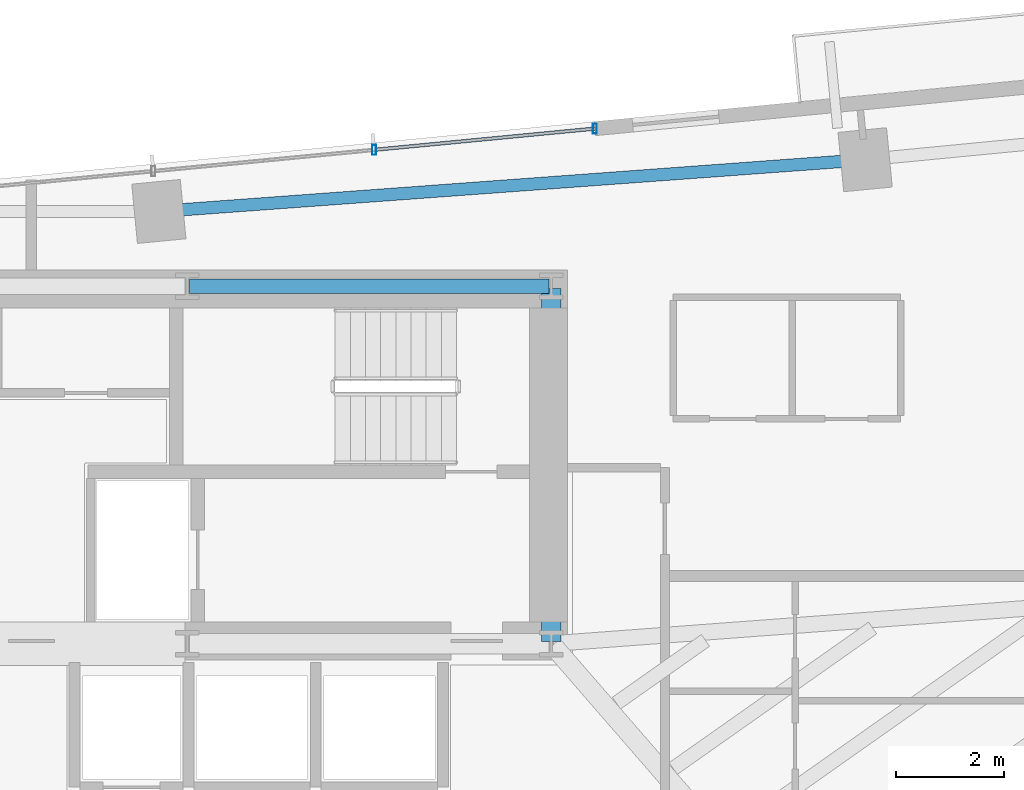
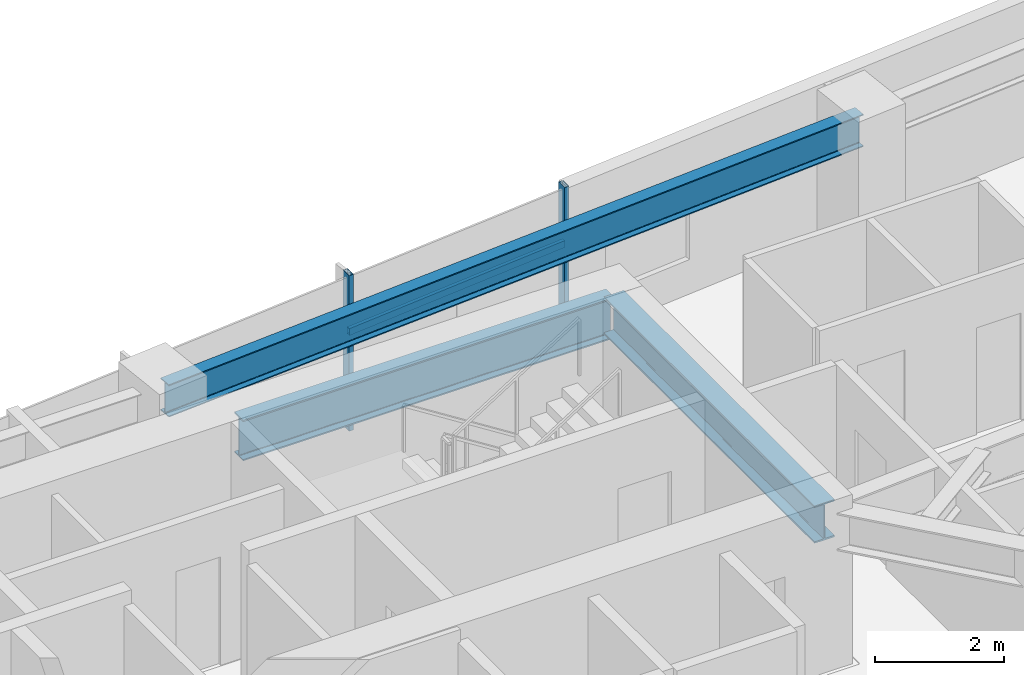
# One storey, part 17 of 27: 3 beams, 3 members, 1 element without a shape of its own.
"""IFC4 building model written with IfcOpenShell, lengths in metres."""

from ifc_helpers import new_model, si_unit, direction, frame, origin, origin_2d, place, context, subcontext, project, spatial, hollow_rectangle, i_section, extrude, source, transform, mapped, material, material_profile, profile_set, type_object, type_shapes, element, aggregate, save


model = new_model("IFC4")

# Units and contexts
model_context = context("Model", 3, precision=1e-05, world=origin(), true_north=direction((0.0, 1.0)))
body_context = subcontext(model_context, "Body", "Model", "MODEL_VIEW")
ifc_project = project(units=[si_unit("LENGTHUNIT", "METRE"), si_unit("AREAUNIT", "SQUARE_METRE"), si_unit("VOLUMEUNIT", "CUBIC_METRE"), si_unit("PLANEANGLEUNIT", "RADIAN"), si_unit("MASSUNIT", "GRAM", prefix="KILO")], contexts=[model_context])

# Site, building, storey
site_placement = place(None, origin())
site = spatial("IfcSite", under=ifc_project, at=site_placement, CompositionType="ELEMENT")
building_placement = place(site_placement, origin())
building = spatial("IfcBuilding", under=site, at=building_placement, Name="Astriad Promenade Condominiums", CompositionType="ELEMENT")
storey_placement = place(building_placement, frame((0.0, 0.0, 113.0)))
storey = spatial("IfcBuildingStorey", under=building, at=storey_placement, Name="L32", CompositionType="ELEMENT", Elevation=113.0)

# Beams
ifc_material_1 = material(Name="Steel ASTM A992 Grade 50", Category="steel")
ifc_material_profile_1 = material_profile(ifc_material_1, i_section(OverallWidth=0.267822265625, OverallDepth=0.76953125, WebThickness=0.015625, FlangeThickness=0.025390625, FilletRadius=0.021484375, at=origin_2d()), Name="W30X132")
ifc_profile_set_1 = profile_set([ifc_material_profile_1], Name="Steel ASTM A992 Grade 50")
beam_type_1 = type_object("IfcBeamType", Name="STEEL FLOOR GIRDER W30X132", PredefinedType="BEAM", material=ifc_profile_set_1)
shared_shape_1 = source(origin(), body_context, "Body", "SweptSolid", [
    extrude(i_section(OverallWidth=0.267822265625, OverallDepth=0.76953125, WebThickness=0.015625, FlangeThickness=0.025390625, FilletRadius=0.021484375, at=origin_2d()), origin(), (0.0, 0.0, 1.0), 6.64013671875),
])
type_shapes(beam_type_1, [shared_shape_1])
beam_1_placement = place(storey_placement, frame((38.919921875, 24.0, 2.55517578125), z_axis=(1.0, 0.0, 0.0), x_axis=(0.0, 1.0, 0.0)))
element("IfcBeam", 1, at=beam_1_placement, inside=storey, type_object=beam_type_1, Name="Core Ring Beam CG-N3-L32", PredefinedType="BEAM", context=body_context, shape_type="MappedRepresentation", body=[
    mapped(shared_shape_1, transform((0.0, 0.0, 0.0), scale=1.0)),
])
ifc_material_profile_2 = material_profile(ifc_material_1, i_section(OverallWidth=0.35791015625, OverallDepth=0.706298828125, WebThickness=0.018310546875, FlangeThickness=0.0302734375, FilletRadius=0.020263671875, at=origin_2d()), Name="W27X178")
ifc_profile_set_2 = profile_set([ifc_material_profile_2], Name="Steel ASTM A992 Grade 50")
beam_type_2 = type_object("IfcBeamType", Name="STEEL FLOOR GIRDER W27X178", PredefinedType="BEAM", material=ifc_profile_set_2)
shared_shape_2 = source(origin(), body_context, "Body", "SweptSolid", [
    extrude(i_section(OverallWidth=0.35791015625, OverallDepth=0.706298828125, WebThickness=0.018310546875, FlangeThickness=0.0302734375, FilletRadius=0.020263671875, at=origin_2d()), origin(), (0.0, 0.0, 1.0), 6.52001953125),
])
type_shapes(beam_type_2, [shared_shape_2])
beam_2_placement = place(storey_placement, frame((45.60009765625, 17.43994140625, 2.5869140625), z_axis=(0.0, 1.0, 0.0), x_axis=(-1.0, 0.0, 0.0)))
element("IfcBeam", 2, at=beam_2_placement, inside=storey, type_object=beam_type_2, Name="Core Ring Beam CG-E1-L32", PredefinedType="BEAM", context=body_context, shape_type="MappedRepresentation", body=[
    mapped(shared_shape_2, transform((0.0, 0.0, 0.0), scale=1.0)),
])
ifc_material_profile_3 = material_profile(ifc_material_1, i_section(OverallWidth=0.22900390625, OverallDepth=0.612060546875, WebThickness=0.011962890625, FlangeThickness=0.01953125, FilletRadius=0.017822265625, at=origin_2d()), Name="W24X84")
ifc_profile_set_3 = profile_set([ifc_material_profile_3], Name="Steel ASTM A992 Grade 50")
beam_type_3 = type_object("IfcBeamType", Name="STEEL SPANDREL BEAM W24X84", PredefinedType="SPANDREL", material=ifc_profile_set_3)
shared_shape_3 = source(origin(), body_context, "Body", "SweptSolid", [
    extrude(i_section(OverallWidth=0.22900390625, OverallDepth=0.612060546875, WebThickness=0.011962890625, FlangeThickness=0.01953125, FilletRadius=0.017822265625, at=origin_2d()), origin(), (0.0, 0.0, 1.0), 12.99462890625),
])
type_shapes(beam_type_3, [shared_shape_3])
beam_3_placement = place(storey_placement, frame((51.3544921875, 26.33203125, 2.6337890625), z_axis=(-0.997328518297, -0.073046742505, 0.0), x_axis=(0.073046742505, -0.997328518297, 0.0)))
element("IfcBeam", 3, at=beam_3_placement, inside=storey, type_object=beam_type_3, Name="Perimeter Spandrel Beam SP-N3-L32", PredefinedType="SPANDREL", context=body_context, shape_type="MappedRepresentation", body=[
    mapped(shared_shape_3, transform((0.0, 0.0, 0.0), scale=1.0)),
])

# Curtain wall, members
ifc_material_2 = material(Name="Anodised aluminium Black Dark Glass Unitised", Category="aluminium")
curtain_wall_type = type_object("IfcCurtainWallType", Name="CW-B2-DARK", PredefinedType="USERDEFINED", material=ifc_material_2)
curtain_wall_placement = place(storey_placement, origin())
curtain_wall = element("IfcCurtainWall", 4, at=curtain_wall_placement, inside=storey, type_object=curtain_wall_type, Name="CW-L32-N", ObjectType="UNITISED_CURTAIN_WALL", PredefinedType="USERDEFINED")
ifc_material_3 = material(Name="Anodised aluminium 6063-T6 Black", Category="aluminium")
ifc_material_profile_4 = material_profile(ifc_material_3, hollow_rectangle(XDim=0.074951171875, YDim=0.18505859375, WallThickness=0.00439453125, at=origin_2d()), Name="ALU-MUL-75X185")
ifc_profile_set_4 = profile_set([ifc_material_profile_4], Name="Anodised aluminium 6063-T6 Black")
member_type_1 = type_object("IfcMemberType", Name="MUL-ALU-MUL-75X185", PredefinedType="MULLION", material=ifc_profile_set_4)
shared_shape_4 = source(origin(), body_context, "Body", "SweptSolid", [
    extrude(hollow_rectangle(XDim=0.074951171875, YDim=0.18505859375, WallThickness=0.00439453125, at=origin_2d()), origin(), (0.0, 0.0, 1.0), 2.93994140625),
])
type_shapes(member_type_1, [shared_shape_4])
member_1_placement = place(storey_placement, frame((42.330078125, 26.51708984375, 0.0), z_axis=(0.0, 0.0, 1.0), x_axis=(1.0, 0.0, 0.0)))
member_1 = element("IfcMember", 5, at=member_1_placement, type_object=member_type_1, Name="CW-L32-N-MUL-03", PredefinedType="MULLION", context=body_context, shape_type="MappedRepresentation", body=[
    mapped(shared_shape_4, transform((0.0, 0.0, 0.0), scale=1.0)),
])
member_2_placement = place(storey_placement, frame((46.40625, 26.90966796875, 0.0), z_axis=(0.0, 0.0, 1.0), x_axis=(1.0, 0.0, 0.0)))
member_2 = element("IfcMember", 6, at=member_2_placement, type_object=member_type_1, Name="CW-L32-N-MUL-04", PredefinedType="MULLION", context=body_context, shape_type="MappedRepresentation", body=[
    mapped(shared_shape_4, transform((0.0, 0.0, 0.0), scale=1.0)),
])
ifc_material_profile_5 = material_profile(ifc_material_3, hollow_rectangle(XDim=0.06494140625, YDim=0.1298828125, WallThickness=0.00390625, at=origin_2d()), Name="ALU-TRN-65X130")
ifc_profile_set_5 = profile_set([ifc_material_profile_5], Name="Anodised aluminium 6063-T6 Black")
member_type_2 = type_object("IfcMemberType", Name="TRN-ALU-TRN-65X130", PredefinedType="USERDEFINED", material=ifc_profile_set_5)
shared_shape_5 = source(origin(), body_context, "Body", "SweptSolid", [
    extrude(hollow_rectangle(XDim=0.06494140625, YDim=0.1298828125, WallThickness=0.00390625, at=origin_2d()), origin(), (0.0, 0.0, 1.0), 4.094970703125),
])
type_shapes(member_type_2, [shared_shape_5])
member_3_placement = place(storey_placement, frame((42.330078125, 26.51708984375, 1.82275390625), z_axis=(0.995394161585, 0.09586690296, 0.0), x_axis=(-0.09586690296, 0.995394161585, 0.0)))
member_3 = element("IfcMember", 7, at=member_3_placement, type_object=member_type_2, Name="CW-L32-N-TRN-03-0", ObjectType="TRANSOM", PredefinedType="USERDEFINED", context=body_context, shape_type="MappedRepresentation", body=[
    mapped(shared_shape_5, transform((0.0, 0.0, 0.0), scale=1.0)),
])
aggregate(curtain_wall, [member_1, member_2, member_3])

save(model, "model.ifc")
